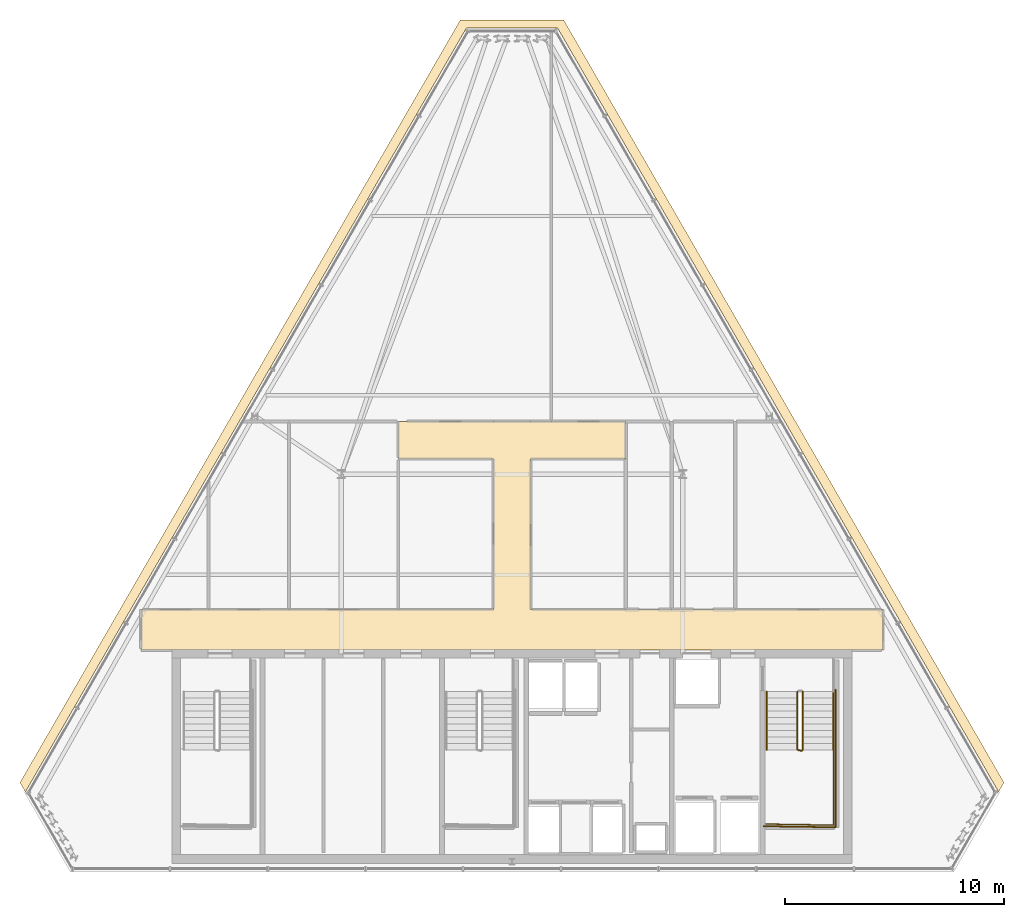
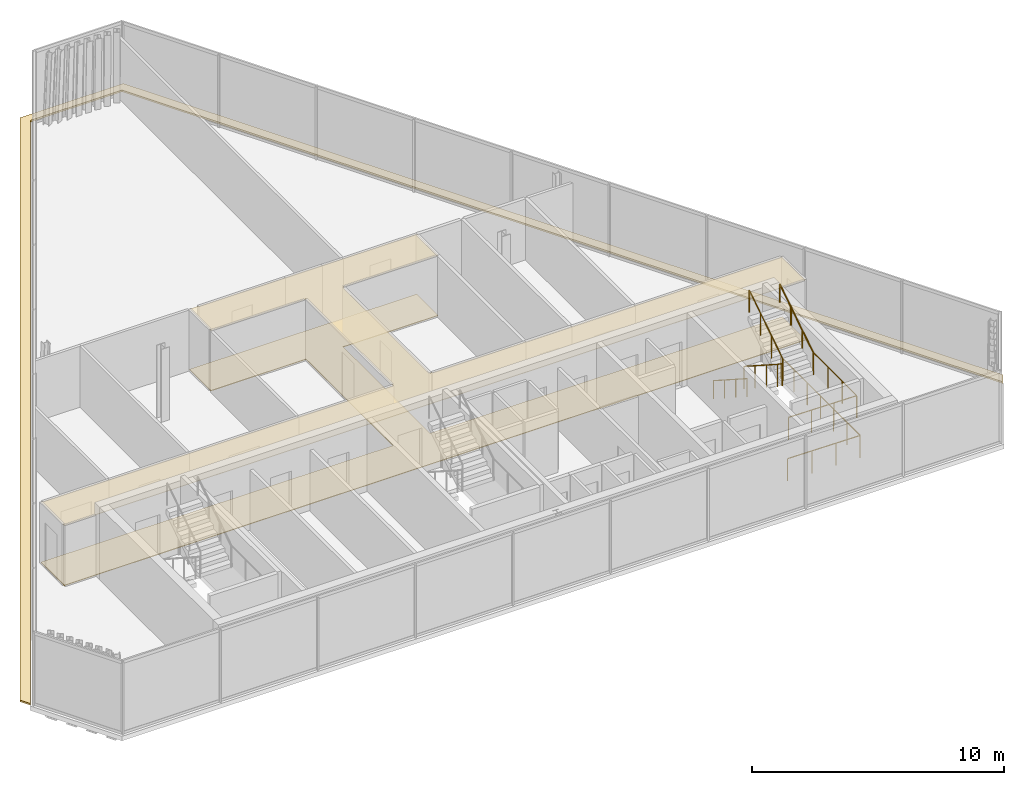
# One storey, part 31 of 32: 6 railings, 3 coverings.
"""IFC4 building model written with IfcOpenShell, lengths in metres."""

from ifc_helpers import new_model, si_unit, direction, frame, origin, origin_2d, place, context, subcontext, project, spatial, polyline, circle, outline, extrude, material, layer, layer_set, type_object, element, save


model = new_model("IFC4")

# Units and contexts
model_context = context("Model", 3, precision=1e-05, world=origin(), true_north=direction((0.0, 1.0)))
body_context = subcontext(model_context, "Body", "Model", "MODEL_VIEW")
ifc_project = project(units=[si_unit("LENGTHUNIT", "METRE"), si_unit("AREAUNIT", "SQUARE_METRE"), si_unit("VOLUMEUNIT", "CUBIC_METRE"), si_unit("PLANEANGLEUNIT", "RADIAN"), si_unit("MASSUNIT", "GRAM", prefix="KILO")], contexts=[model_context])

# Site, building, storey
site_placement = place(None, origin())
site = spatial("IfcSite", under=ifc_project, at=site_placement, CompositionType="ELEMENT")
building_placement = place(site_placement, origin())
building = spatial("IfcBuilding", under=site, at=building_placement, Name="Ndaravel Arena Tower", CompositionType="ELEMENT")
storey_placement = place(building_placement, frame((0.0, 0.0, 294.699951171875)))
storey = spatial("IfcBuildingStorey", under=building, at=storey_placement, Name="L72", CompositionType="ELEMENT", Elevation=294.699951171875)

# Coverings
ifc_material_1 = material(Name="Acoustic Ceiling Tile", Category="finish")
ifc_layer_1 = layer(ifc_material_1, 0.02490234375)
ifc_layer_set_1 = layer_set([ifc_layer_1], Name="Acoustic Ceiling Tile")
covering_type_1 = type_object("IfcCoveringType", Name="COV-CEIL-AC600", PredefinedType="CEILING", material=ifc_layer_set_1)
covering_1_placement = place(storey_placement, frame((0.0, 0.0, 2.920654296875)))
element("IfcCovering", 1, at=covering_1_placement, inside=storey, type_object=covering_type_1, Name="L72 Corridor Acoustic Ceiling", PredefinedType="CEILING", context=body_context, shape_type="SweptSolid", body=[
    extrude(outline(polyline([(58.965087890625, 17.0), (42.85009765625, 17.0), (42.85009765625, 23.89990234375), (47.199951171875, 23.89990234375), (47.199951171875, 25.60009765625), (42.85009765625, 25.60009765625), (41.14990234375, 25.60009765625), (36.800048828125, 25.60009765625), (36.800048828125, 23.89990234375), (41.14990234375, 23.89990234375), (41.14990234375, 17.0), (25.034912109375, 17.0), (25.034912109375, 15.14990234375), (58.965087890625, 15.14990234375), (58.965087890625, 17.0)])), origin(), (0.0, 0.0, 1.0), 0.02490234375),
])
ifc_material_2 = material(Name="Terrazzo", Category="stone")
ifc_layer_2 = layer(ifc_material_2, 0.030029296875)
ifc_layer_set_2 = layer_set([ifc_layer_2], Name="Terrazzo")
covering_type_2 = type_object("IfcCoveringType", Name="COV-FLOOR-TERRAZZO", PredefinedType="FLOORING", material=ifc_layer_set_2)
covering_2_placement = place(storey_placement, origin())
element("IfcCovering", 2, at=covering_2_placement, inside=storey, type_object=covering_type_2, Name="L72 Corridor Terrazzo Flooring", PredefinedType="FLOORING", context=body_context, shape_type="SweptSolid", body=[
    extrude(outline(polyline([(58.965087890625, 17.0), (42.85009765625, 17.0), (42.85009765625, 23.89990234375), (47.199951171875, 23.89990234375), (47.199951171875, 25.60009765625), (42.85009765625, 25.60009765625), (41.14990234375, 25.60009765625), (36.800048828125, 25.60009765625), (36.800048828125, 23.89990234375), (41.14990234375, 23.89990234375), (41.14990234375, 17.0), (25.034912109375, 17.0), (25.034912109375, 15.14990234375), (58.965087890625, 15.14990234375), (58.965087890625, 17.0)])), origin(), (0.0, 0.0, 1.0), 0.030029296875),
])
ifc_material_3 = material(Name="Roofing Membrane", Category="finish")
ifc_layer_3 = layer(ifc_material_3, 0.080078125)
ifc_layer_set_3 = layer_set([ifc_layer_3], Name="Roofing Membrane")
covering_type_3 = type_object("IfcCoveringType", Name="COV-ROOF-MEMB", PredefinedType="ROOFING", material=ifc_layer_set_3)
covering_3_placement = place(storey_placement, origin())
element("IfcCovering", 3, at=covering_3_placement, inside=storey, type_object=covering_type_3, Name="L72 Facet Setback Weathering Flashing", PredefinedType="ROOFING", context=body_context, shape_type="SweptSolid", body=[
    extrude(outline(polyline([(19.5078125, 9.095947265625), (39.63525390625, 43.957763671875), (44.36474609375, 43.957763671875), (64.4921875, 9.095947265625), (64.24609375, 8.669921875), (44.087646484375, 43.58544921875), (39.912353515625, 43.58544921875), (19.75390625, 8.669921875), (19.5078125, 9.095947265625)])), origin(), (0.0, 0.0, 1.0), 0.080078125),
])

# Railings
ifc_material_4 = material(Name="Steel S355", Category="steel")
ifc_layer_4 = layer(ifc_material_4, 0.06005859375)
ifc_layer_set_4 = layer_set([ifc_layer_4], Name="Steel S355")
railing_type_1 = type_object("IfcRailingType", Name="RAIL-STAIR-GD1100", PredefinedType="GUARDRAIL", material=ifc_layer_set_4)
railing_1_placement = place(storey_placement, frame((55.050048828125, 13.25, 0.18994140625)))
element("IfcRailing", 4, at=railing_1_placement, inside=storey, type_object=railing_type_1, Name="L72 ST-3 stair guard 1", PredefinedType="GUARDRAIL", context=body_context, shape_type="SweptSolid", body=[
    extrude(circle(Radius=0.02392578125, at=origin_2d()), frame((0.0, 0.0, 1.076171875), z_axis=(0.0, -0.840688348013, 0.541519253134), x_axis=(1.0, 0.0, 0.0)), (0.0, 0.0, 1.0), 3.158203125),
    extrude(circle(Radius=0.02392578125, at=origin_2d()), frame((0.0, -2.655029296875, 2.7861328125), z_axis=(0.966993988697, -0.254799187253, 0.0), x_axis=(0.254799187253, 0.966993988697, 0.0)), (0.0, 0.0, 1.0), 0.196533203125),
    extrude(circle(Radius=0.02099609375, at=origin_2d()), origin(), (0.0, 0.0, 1.0), 1.052001953125),
    extrude(circle(Radius=0.02099609375, at=origin_2d()), frame((0.0, -0.885009765625, 0.570068359375)), (0.0, 0.0, 1.0), 1.052001953125),
    extrude(circle(Radius=0.02099609375, at=origin_2d()), frame((0.0, -1.77001953125, 1.14013671875)), (0.0, 0.0, 1.0), 1.052001953125),
    extrude(circle(Radius=0.02099609375, at=origin_2d()), frame((0.0, -2.655029296875, 1.710205078125)), (0.0, 0.0, 1.0), 1.052001953125),
    extrude(circle(Radius=0.02099609375, at=origin_2d()), frame((0.18994140625, -2.705078125, 1.710205078125)), (0.0, 0.0, 1.0), 1.052001953125),
])
railing_2_placement = place(storey_placement, frame((56.68994140625, 10.594970703125, 1.900146484375)))
element("IfcRailing", 5, at=railing_2_placement, inside=storey, type_object=railing_type_1, Name="L72 ST-3 stair guard 2", PredefinedType="GUARDRAIL", context=body_context, shape_type="SweptSolid", body=[
    extrude(circle(Radius=0.02392578125, at=origin_2d()), frame((0.0, 0.0, 1.076171875), z_axis=(0.0, -1.0, 0.0), x_axis=(1.0, 0.0, 0.0)), (0.0, 0.0, 1.0), 3.445068359375),
    extrude(circle(Radius=0.02392578125, at=origin_2d()), frame((0.0, -3.445068359375, 1.076171875), z_axis=(-0.999868840623, 0.016195726322, 0.0), x_axis=(-0.016195726322, -0.999868840623, 0.0)), (0.0, 0.0, 1.0), 3.09033203125),
    extrude(circle(Radius=0.02099609375, at=origin_2d()), origin(), (0.0, 0.0, 1.0), 1.052001953125),
    extrude(circle(Radius=0.02099609375, at=origin_2d()), frame((0.0, -1.1484375, 0.0)), (0.0, 0.0, 1.0), 1.052001953125),
    extrude(circle(Radius=0.02099609375, at=origin_2d()), frame((0.0, -2.296630859375, 0.0)), (0.0, 0.0, 1.0), 1.052001953125),
    extrude(circle(Radius=0.02099609375, at=origin_2d()), frame((0.0, -3.445068359375, 0.0)), (0.0, 0.0, 1.0), 1.052001953125),
    extrude(circle(Radius=0.02099609375, at=origin_2d()), frame((-1.030029296875, -3.428466796875, 0.0)), (0.0, 0.0, 1.0), 1.052001953125),
    extrude(circle(Radius=0.02099609375, at=origin_2d()), frame((-2.059814453125, -3.41162109375, 0.0)), (0.0, 0.0, 1.0), 1.052001953125),
    extrude(circle(Radius=0.02099609375, at=origin_2d()), frame((-3.08984375, -3.39501953125, 0.0)), (0.0, 0.0, 1.0), 1.052001953125),
])
railing_3_placement = place(storey_placement, frame((55.2900390625, 10.594970703125, 2.090087890625)))
element("IfcRailing", 6, at=railing_3_placement, inside=storey, type_object=railing_type_1, Name="L72 ST-3 stair guard 3", PredefinedType="GUARDRAIL", context=body_context, shape_type="SweptSolid", body=[
    extrude(circle(Radius=0.02392578125, at=origin_2d()), frame((0.0, 0.0, 1.076171875), z_axis=(0.0, 0.840723540582, 0.54146461409), x_axis=(-1.0, 0.0, 0.0)), (0.0, 0.0, 1.0), 3.157958984375),
    extrude(circle(Radius=0.02099609375, at=origin_2d()), origin(), (0.0, 0.0, 1.0), 1.052001953125),
    extrude(circle(Radius=0.02099609375, at=origin_2d()), frame((0.0, 0.885009765625, 0.570068359375)), (0.0, 0.0, 1.0), 1.052001953125),
    extrude(circle(Radius=0.02099609375, at=origin_2d()), frame((0.0, 1.77001953125, 1.139892578125)), (0.0, 0.0, 1.0), 1.052001953125),
    extrude(circle(Radius=0.02099609375, at=origin_2d()), frame((0.0, 2.655029296875, 1.7099609375)), (0.0, 0.0, 1.0), 1.052001953125),
])
railing_4_placement = place(storey_placement, frame((56.7900390625, 13.35009765625, 0.0)))
element("IfcRailing", 7, at=railing_4_placement, inside=storey, type_object=railing_type_1, Name="L72 ST-3 stair guard 6", PredefinedType="GUARDRAIL", context=body_context, shape_type="SweptSolid", body=[
    extrude(circle(Radius=0.02392578125, at=origin_2d()), frame((0.0, 0.0, 1.076171875), z_axis=(0.0, -1.0, 0.0), x_axis=(1.0, 0.0, 0.0)), (0.0, 0.0, 1.0), 6.300048828125),
    extrude(circle(Radius=0.02392578125, at=origin_2d()), frame((0.0, -6.300048828125, 1.076171875), z_axis=(-0.99988431412, 0.015210469308, 0.0), x_axis=(-0.015210469308, -0.99988431412, 0.0)), (0.0, 0.0, 1.0), 3.29052734375),
    extrude(circle(Radius=0.02099609375, at=origin_2d()), origin(), (0.0, 0.0, 1.0), 1.052001953125),
    extrude(circle(Radius=0.02099609375, at=origin_2d()), frame((0.0, -1.050048828125, 0.0)), (0.0, 0.0, 1.0), 1.052001953125),
    extrude(circle(Radius=0.02099609375, at=origin_2d()), frame((0.0, -2.10009765625, 0.0)), (0.0, 0.0, 1.0), 1.052001953125),
    extrude(circle(Radius=0.02099609375, at=origin_2d()), frame((0.0, -3.14990234375, 0.0)), (0.0, 0.0, 1.0), 1.052001953125),
    extrude(circle(Radius=0.02099609375, at=origin_2d()), frame((0.0, -4.199951171875, 0.0)), (0.0, 0.0, 1.0), 1.052001953125),
    extrude(circle(Radius=0.02099609375, at=origin_2d()), frame((0.0, -5.25, 0.0)), (0.0, 0.0, 1.0), 1.052001953125),
    extrude(circle(Radius=0.02099609375, at=origin_2d()), frame((0.0, -6.300048828125, 0.0)), (0.0, 0.0, 1.0), 1.052001953125),
    extrude(circle(Radius=0.02099609375, at=origin_2d()), frame((-1.0966796875, -6.283447265625, 0.0)), (0.0, 0.0, 1.0), 1.052001953125),
    extrude(circle(Radius=0.02099609375, at=origin_2d()), frame((-2.193359375, -6.2666015625, 0.0)), (0.0, 0.0, 1.0), 1.052001953125),
    extrude(circle(Radius=0.02099609375, at=origin_2d()), frame((-3.2900390625, -6.25, 0.0)), (0.0, 0.0, 1.0), 1.052001953125),
])
ifc_material_5 = material(Name="Steel S355", Category="steel")
ifc_layer_5 = layer(ifc_material_5, 0.050048828125)
ifc_layer_set_5 = layer_set([ifc_layer_5], Name="Steel S355")
railing_type_2 = type_object("IfcRailingType", Name="RAIL-STAIR-HR920", PredefinedType="HANDRAIL", material=ifc_layer_set_5)
railing_5_placement = place(storey_placement, frame((53.64990234375, 13.25, 0.18994140625)))
element("IfcRailing", 8, at=railing_5_placement, inside=storey, type_object=railing_type_2, Name="L72 ST-3 stair handrail 1", PredefinedType="HANDRAIL", context=body_context, shape_type="SweptSolid", body=[
    extrude(circle(Radius=0.02392578125, at=origin_2d()), frame((0.0, 0.0, 0.8759765625), z_axis=(0.0, -0.840688348013, 0.541519253134), x_axis=(1.0, 0.0, 0.0)), (0.0, 0.0, 1.0), 3.158203125),
    extrude(circle(Radius=0.02099609375, at=origin_2d()), origin(), (0.0, 0.0, 1.0), 0.851806640625),
    extrude(circle(Radius=0.02099609375, at=origin_2d()), frame((0.0, -0.885009765625, 0.570068359375)), (0.0, 0.0, 1.0), 0.851806640625),
    extrude(circle(Radius=0.02099609375, at=origin_2d()), frame((0.0, -1.77001953125, 1.14013671875)), (0.0, 0.0, 1.0), 0.851806640625),
    extrude(circle(Radius=0.02099609375, at=origin_2d()), frame((0.0, -2.655029296875, 1.710205078125)), (0.0, 0.0, 1.0), 0.851806640625),
])
railing_6_placement = place(storey_placement, frame((56.68994140625, 10.594970703125, 2.090087890625)))
element("IfcRailing", 9, at=railing_6_placement, inside=storey, type_object=railing_type_2, Name="L72 ST-3 stair handrail 2", PredefinedType="HANDRAIL", context=body_context, shape_type="SweptSolid", body=[
    extrude(circle(Radius=0.02392578125, at=origin_2d()), frame((0.0, 0.0, 0.8759765625), z_axis=(0.0, 0.840723540582, 0.54146461409), x_axis=(-1.0, 0.0, 0.0)), (0.0, 0.0, 1.0), 3.157958984375),
    extrude(circle(Radius=0.02099609375, at=origin_2d()), origin(), (0.0, 0.0, 1.0), 0.851806640625),
    extrude(circle(Radius=0.02099609375, at=origin_2d()), frame((0.0, 0.885009765625, 0.570068359375)), (0.0, 0.0, 1.0), 0.851806640625),
    extrude(circle(Radius=0.02099609375, at=origin_2d()), frame((0.0, 1.77001953125, 1.139892578125)), (0.0, 0.0, 1.0), 0.851806640625),
    extrude(circle(Radius=0.02099609375, at=origin_2d()), frame((0.0, 2.655029296875, 1.7099609375)), (0.0, 0.0, 1.0), 0.851806640625),
])

save(model, "model.ifc")
